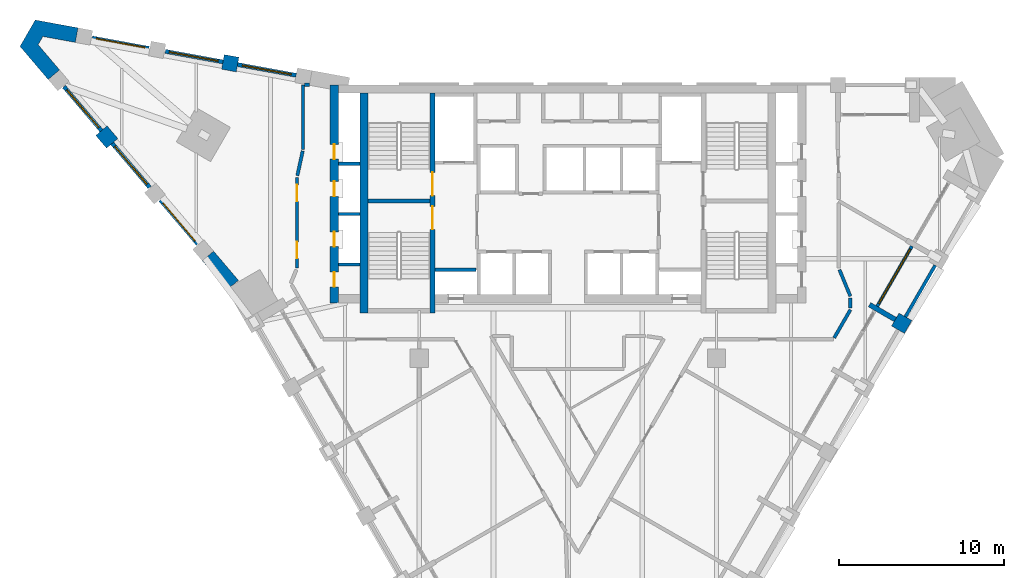
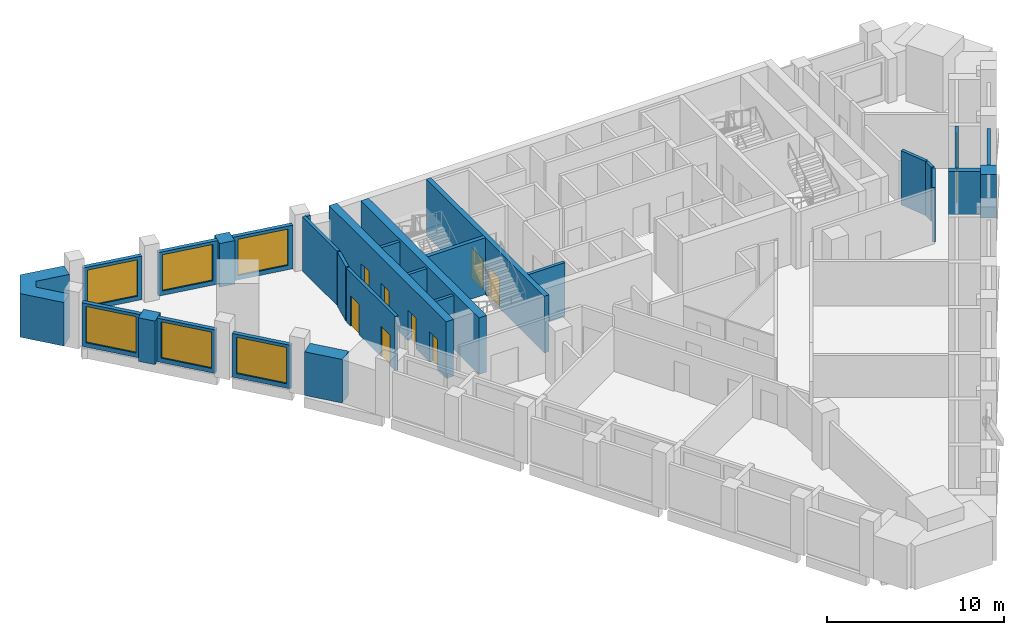
# One storey, part 5 of 9: 29 walls, 8 doors, 7 windows, 15 openings.
"""IFC4 building model written with IfcOpenShell, lengths in metres."""

from ifc_helpers import new_model, si_unit, direction, frame, frame_2d, origin, place, context, subcontext, project, spatial, polyline, rectangle, outline, extrude, material, layer, layer_set, type_object, element, fill, save


model = new_model("IFC4")

# Units and contexts
model_context = context("Model", 3, precision=1e-05, world=origin(), true_north=direction((0.0, 1.0)))
body_context = subcontext(model_context, "Body", "Model", "MODEL_VIEW")
ifc_project = project(units=[si_unit("LENGTHUNIT", "METRE"), si_unit("AREAUNIT", "SQUARE_METRE"), si_unit("VOLUMEUNIT", "CUBIC_METRE"), si_unit("PLANEANGLEUNIT", "RADIAN"), si_unit("MASSUNIT", "GRAM", prefix="KILO")], contexts=[model_context])

# Site, building, storey
site_placement = place(None, origin())
site = spatial("IfcSite", under=ifc_project, at=site_placement, CompositionType="ELEMENT")
building_placement = place(site_placement, origin())
building = spatial("IfcBuilding", under=site, at=building_placement, Name="Calabash Gate Tower", CompositionType="ELEMENT")
storey_placement = place(building_placement, frame((0.0, 0.0, 227.60009765625)))
storey = spatial("IfcBuildingStorey", under=building, at=storey_placement, Name="L54", CompositionType="ELEMENT", Elevation=227.60009765625)

# Walls
ifc_material_1 = material(Name="Terracotta brick masonry, exposed face", Category="masonry")
ifc_layer_1 = layer(ifc_material_1, 0.89990234375)
ifc_layer_set_1 = layer_set([ifc_layer_1], Name="Brick end wall 900")
wall_type_1 = type_object("IfcWallType", Name="Brick end wall 900", PredefinedType="SOLIDWALL", material=ifc_layer_set_1)
wall_1_placement = place(storey_placement, frame((20.59912109375, 4.3935546875, 0.0), z_axis=(0.0, 0.0, 1.0), x_axis=(-0.865964261186, 0.500105887137, 0.0)))
element("IfcWall", 1, at=wall_1_placement, inside=storey, type_object=wall_type_1, Name="Brick pier S15 SE2.7", PredefinedType="SOLIDWALL", context=body_context, shape_type="SweptSolid", body=[
    extrude(rectangle(XDim=0.900146484375, YDim=0.89990234375, at=frame_2d((0.4501953125, 0.0))), origin(), (0.0, 0.0, 1.0), 3.0),
])
wall_2_placement = place(storey_placement, frame((-20.52099609375, 19.91796875, 0.0), z_axis=(0.0, 0.0, 1.0), x_axis=(0.180126650564, 0.983643426124, 0.0)))
element("IfcWall", 2, at=wall_2_placement, inside=storey, type_object=wall_type_1, Name="Brick pier S15 wedge5.1", PredefinedType="SOLIDWALL", context=body_context, shape_type="SweptSolid", body=[
    extrude(rectangle(XDim=0.89990234375, YDim=0.89990234375, at=frame_2d((0.449951171875, 0.0))), origin(), (0.0, 0.0, 1.0), 3.0),
])
wall_3_placement = place(storey_placement, frame((-27.587890625, 15.511474609375, 0.0), z_axis=(0.0, 0.0, 1.0), x_axis=(-0.647641360564, 0.761945318305, 0.0)))
element("IfcWall", 3, at=wall_3_placement, inside=storey, type_object=wall_type_1, Name="Brick pier S15 wedge7.1", PredefinedType="SOLIDWALL", context=body_context, shape_type="SweptSolid", body=[
    extrude(rectangle(XDim=1.00390625, YDim=0.89990234375, at=frame_2d((0.501953125, 0.0))), origin(), (0.0, 0.0, 1.0), 3.0),
])
wall_4_placement = place(storey_placement, origin())
element("IfcWall", 4, at=wall_4_placement, inside=storey, type_object=wall_type_1, Name="Brick end wall S15 2", PredefinedType="SOLIDWALL", context=body_context, shape_type="SweptSolid", body=[
    extrude(outline(polyline([(-31.784423828125, 21.978759765625), (-29.816650390625, 21.618896484375), (-29.654541015625, 22.504150390625), (-32.24658203125, 22.978271484375), (-33.168701171875, 21.38134765625), (-31.4619140625, 19.373779296875), (-30.776123046875, 19.956787109375), (-32.072021484375, 21.48095703125), (-31.784423828125, 21.978759765625)])), origin(), (0.0, 0.0, 1.0), 3.0),
])
wall_5_placement = place(storey_placement, origin())
element("IfcWall", 5, at=wall_5_placement, inside=storey, type_object=wall_type_1, Name="Brick end wall S15 3", PredefinedType="SOLIDWALL", context=body_context, shape_type="SweptSolid", body=[
    extrude(outline(polyline([(-19.947998046875, 7.2197265625), (-21.44921875, 8.985595703125), (-22.135009765625, 8.402587890625), (-20.66015625, 6.667724609375), (-20.6806640625, 6.703125), (-20.291015625, 6.92822265625), (-19.947998046875, 7.2197265625)])), origin(), (0.0, 0.0, 1.0), 3.0),
])
ifc_material_2 = material(Name="Terracotta brick masonry, exposed face", Category="masonry")
ifc_layer_2 = layer(ifc_material_2, 0.300048828125)
ifc_layer_set_2 = layer_set([ifc_layer_2], Name="Brick loggia cheek wall 300")
wall_type_2 = type_object("IfcWallType", Name="Brick loggia cheek wall 300", PredefinedType="SOLIDWALL", material=ifc_layer_set_2)
wall_6_placement = place(storey_placement, frame((19.819580078125, 4.84375, 0.0), z_axis=(0.0, 0.0, 1.0), x_axis=(-0.866047807691, 0.499961193289, 0.0)))
element("IfcWall", 6, at=wall_6_placement, inside=storey, type_object=wall_type_2, Name="Loggia cheek S15 SE2.7", PredefinedType="SOLIDWALL", context=body_context, shape_type="SweptSolid", body=[
    extrude(rectangle(XDim=1.800048828125, YDim=0.300048828125, at=frame_2d((0.89990234375, 0.0))), origin(), (0.0, 0.0, 1.0), 3.0),
])
ifc_material_3 = material(Name="Concrete C70/85", Category="concrete")
ifc_layer_3 = layer(ifc_material_3, 0.25)
ifc_layer_set_3 = layer_set([ifc_layer_3], Name="Core wall 250 Concrete C70/85")
wall_type_3 = type_object("IfcWallType", Name="Core wall 250 Concrete C70/85", PredefinedType="SHEAR", material=ifc_layer_set_3)
wall_7_placement = place(storey_placement, frame((-12.10009765625, 12.027587890625, 0.0), z_axis=(0.0, 0.0, 1.0), x_axis=(1.0, 0.0, 0.0)))
element("IfcWall", 7, at=wall_7_placement, inside=storey, type_object=wall_type_3, Name="Core wall Z4-MIDW L54", PredefinedType="SHEAR", context=body_context, shape_type="SweptSolid", body=[
    extrude(rectangle(XDim=3.75, YDim=0.25, at=frame_2d((1.875, 0.0))), origin(), (0.0, 0.0, 1.0), 3.89990234375),
])

# Wall, openings, doors
ifc_material_4 = material(Name="Concrete C70/85", Category="concrete")
ifc_layer_4 = layer(ifc_material_4, 0.300048828125)
ifc_layer_set_4 = layer_set([ifc_layer_4], Name="Core wall 300 Concrete C70/85")
wall_type_4 = type_object("IfcWallType", Name="Core wall 300 Concrete C70/85", PredefinedType="SHEAR", material=ifc_layer_set_4)
wall_8_placement = place(storey_placement, frame((-8.199951171875, 5.252685546875, 0.0), z_axis=(0.0, 0.0, 1.0), x_axis=(0.0, 1.0, 0.0)))
wall_8 = element("IfcWall", 8, at=wall_8_placement, inside=storey, type_object=wall_type_4, Name="Core wall Z4-PARTW L54", PredefinedType="SHEAR", context=body_context, shape_type="SweptSolid", body=[
    extrude(rectangle(XDim=13.2998046875, YDim=0.300048828125, at=frame_2d((6.64990234375, 0.0))), origin(), (0.0, 0.0, 1.0), 3.89990234375),
])
opening_1_placement = place(wall_8_placement, frame((7.10009765625, 0.0, 0.0)))
opening_1 = element("IfcOpeningElement", 9, at=opening_1_placement, cuts=wall_8, Name="Opening O7-018", PredefinedType="OPENING", context=body_context, shape_type="SweptSolid", body=[
    extrude(rectangle(XDim=1.39990234375, YDim=2.10009765625, at=frame_2d((0.699951171875, 1.050048828125))), frame((0.0, 0.159912109375, 0.0), z_axis=(0.0, -1.0, 0.0), x_axis=(1.0, 0.0, 0.0)), (0.0, 0.0, 1.0), 0.320068359375),
])
opening_2_placement = place(wall_8_placement, frame((5.050048828125, 0.0, 0.0)))
opening_2 = element("IfcOpeningElement", 10, at=opening_2_placement, cuts=wall_8, Name="Opening O7-019", PredefinedType="OPENING", context=body_context, shape_type="SweptSolid", body=[
    extrude(rectangle(XDim=1.39990234375, YDim=2.10009765625, at=frame_2d((0.699951171875, 1.050048828125))), frame((0.0, 0.159912109375, 0.0), z_axis=(0.0, -1.0, 0.0), x_axis=(1.0, 0.0, 0.0)), (0.0, 0.0, 1.0), 0.320068359375),
])
ifc_material_5 = material(Name="Steel fire door set with fire-resisting glazing", Category="steel")
door_type_1 = type_object("IfcDoorType", Name="Fire door D05 1400x2100 FD90", OperationType="NOTDEFINED", PredefinedType="DOOR", material=ifc_material_5)
door_1_placement = place(opening_1_placement, origin())
door_1 = element("IfcDoor", 11, at=door_1_placement, inside=storey, type_object=door_type_1, Name="Exit stair door ST1", OperationType="SINGLE_SWING_LEFT", OverallHeight=2.10009765625, OverallWidth=1.39990234375, PredefinedType="DOOR", context=body_context, shape_type="SweptSolid", body=[
    extrude(rectangle(XDim=1.39990234375, YDim=2.10009765625, at=frame_2d((0.699951171875, 1.050048828125))), frame((0.0, 0.02490234375, 0.0), z_axis=(0.0, -1.0, 0.0), x_axis=(1.0, 0.0, 0.0)), (0.0, 0.0, 1.0), 0.050048828125),
])
fill(opening_1, door_1)
door_2_placement = place(opening_2_placement, origin())
door_2 = element("IfcDoor", 12, at=door_2_placement, inside=storey, type_object=door_type_1, Name="Exit stair door ST2", OperationType="SINGLE_SWING_LEFT", OverallHeight=2.10009765625, OverallWidth=1.39990234375, PredefinedType="DOOR", context=body_context, shape_type="SweptSolid", body=[
    extrude(rectangle(XDim=1.39990234375, YDim=2.10009765625, at=frame_2d((0.699951171875, 1.050048828125))), frame((0.0, 0.02490234375, 0.0), z_axis=(0.0, -1.0, 0.0), x_axis=(1.0, 0.0, 0.0)), (0.0, 0.0, 1.0), 0.050048828125),
])
fill(opening_2, door_2)

# Wall
ifc_material_6 = material(Name="Concrete C70/85", Category="concrete")
ifc_layer_5 = layer(ifc_material_6, 0.5)
ifc_layer_set_5 = layer_set([ifc_layer_5], Name="Core wall 500 Concrete C70/85")
wall_type_5 = type_object("IfcWallType", Name="Core wall 500 Concrete C70/85", PredefinedType="SHEAR", material=ifc_layer_set_5)
wall_9_placement = place(storey_placement, frame((-12.35009765625, 5.252685546875, 0.0), z_axis=(0.0, 0.0, 1.0), x_axis=(0.0, 1.0, 0.0)))
element("IfcWall", 13, at=wall_9_placement, inside=storey, type_object=wall_type_5, Name="Core wall Z4-COLW L54", PredefinedType="SHEAR", context=body_context, shape_type="SweptSolid", body=[
    extrude(rectangle(XDim=13.2998046875, YDim=0.5, at=frame_2d((6.64990234375, 0.0))), origin(), (0.0, 0.0, 1.0), 3.89990234375),
])

# Wall, openings, doors
wall_10_placement = place(storey_placement, frame((-14.14990234375, 5.8525390625, 0.0), z_axis=(0.0, 0.0, 1.0), x_axis=(0.0, 1.0, 0.0)))
wall_10 = element("IfcWall", 14, at=wall_10_placement, inside=storey, type_object=wall_type_5, Name="Core wall Z4-ENDW L54", PredefinedType="SHEAR", context=body_context, shape_type="SweptSolid", body=[
    extrude(rectangle(XDim=13.199951171875, YDim=0.5, at=frame_2d((6.60009765625, 0.0))), origin(), (0.0, 0.0, 1.0), 3.89990234375),
])
opening_3_placement = place(wall_10_placement, frame((0.965087890625, 0.0, 0.0)))
opening_3 = element("IfcOpeningElement", 15, at=opening_3_placement, cuts=wall_10, Name="Opening O7-005", PredefinedType="OPENING", context=body_context, shape_type="SweptSolid", body=[
    extrude(rectangle(XDim=0.89990234375, YDim=2.10009765625, at=frame_2d((0.449951171875, 1.050048828125))), frame((0.0, 0.260009765625, 0.0), z_axis=(0.0, -1.0, 0.0), x_axis=(1.0, 0.0, 0.0)), (0.0, 0.0, 1.0), 0.52001953125),
])
opening_4_placement = place(wall_10_placement, frame((3.405029296875, 0.0, 0.0)))
opening_4 = element("IfcOpeningElement", 16, at=opening_4_placement, cuts=wall_10, Name="Opening O7-006", PredefinedType="OPENING", context=body_context, shape_type="SweptSolid", body=[
    extrude(rectangle(XDim=0.89990234375, YDim=2.10009765625, at=frame_2d((0.449951171875, 1.050048828125))), frame((0.0, 0.260009765625, 0.0), z_axis=(0.0, -1.0, 0.0), x_axis=(1.0, 0.0, 0.0)), (0.0, 0.0, 1.0), 0.52001953125),
])
opening_5_placement = place(wall_10_placement, frame((6.455078125, 0.0, 0.0)))
opening_5 = element("IfcOpeningElement", 17, at=opening_5_placement, cuts=wall_10, Name="Opening O7-007", PredefinedType="OPENING", context=body_context, shape_type="SweptSolid", body=[
    extrude(rectangle(XDim=0.89990234375, YDim=2.10009765625, at=frame_2d((0.449951171875, 1.050048828125))), frame((0.0, 0.260009765625, 0.0), z_axis=(0.0, -1.0, 0.0), x_axis=(1.0, 0.0, 0.0)), (0.0, 0.0, 1.0), 0.52001953125),
])
opening_6_placement = place(wall_10_placement, frame((8.697509765625, 0.0, 0.0)))
opening_6 = element("IfcOpeningElement", 18, at=opening_6_placement, cuts=wall_10, Name="Opening O7-008", PredefinedType="OPENING", context=body_context, shape_type="SweptSolid", body=[
    extrude(rectangle(XDim=0.89990234375, YDim=2.10009765625, at=frame_2d((0.449951171875, 1.050048828125))), frame((0.0, 0.260009765625, 0.0), z_axis=(0.0, -1.0, 0.0), x_axis=(1.0, 0.0, 0.0)), (0.0, 0.0, 1.0), 0.52001953125),
])
ifc_material_7 = material(Name="Steel fire door set with fire-resisting glazing", Category="steel")
door_type_2 = type_object("IfcDoorType", Name="Fire door D06 900x2100 FD60", OperationType="NOTDEFINED", PredefinedType="DOOR", material=ifc_material_7)
door_3_placement = place(opening_3_placement, origin())
door_3 = element("IfcDoor", 19, at=door_3_placement, inside=storey, type_object=door_type_2, Name="Cleaner's Store door", OperationType="SINGLE_SWING_LEFT", OverallHeight=2.10009765625, OverallWidth=0.89990234375, PredefinedType="DOOR", context=body_context, shape_type="SweptSolid", body=[
    extrude(rectangle(XDim=0.89990234375, YDim=2.10009765625, at=frame_2d((0.449951171875, 1.050048828125))), frame((0.0, 0.02490234375, 0.0), z_axis=(0.0, -1.0, 0.0), x_axis=(1.0, 0.0, 0.0)), (0.0, 0.0, 1.0), 0.050048828125),
])
fill(opening_3, door_3)
door_4_placement = place(opening_4_placement, origin())
door_4 = element("IfcDoor", 20, at=door_4_placement, inside=storey, type_object=door_type_2, Name="Duct Riser door", OperationType="SINGLE_SWING_LEFT", OverallHeight=2.10009765625, OverallWidth=0.89990234375, PredefinedType="DOOR", context=body_context, shape_type="SweptSolid", body=[
    extrude(rectangle(XDim=0.89990234375, YDim=2.10009765625, at=frame_2d((0.449951171875, 1.050048828125))), frame((0.0, 0.02490234375, 0.0), z_axis=(0.0, -1.0, 0.0), x_axis=(1.0, 0.0, 0.0)), (0.0, 0.0, 1.0), 0.050048828125),
])
fill(opening_4, door_4)
door_5_placement = place(opening_5_placement, origin())
door_5 = element("IfcDoor", 21, at=door_5_placement, inside=storey, type_object=door_type_2, Name="Electrical Riser door", OperationType="SINGLE_SWING_LEFT", OverallHeight=2.10009765625, OverallWidth=0.89990234375, PredefinedType="DOOR", context=body_context, shape_type="SweptSolid", body=[
    extrude(rectangle(XDim=0.89990234375, YDim=2.10009765625, at=frame_2d((0.449951171875, 1.050048828125))), frame((0.0, 0.02490234375, 0.0), z_axis=(0.0, -1.0, 0.0), x_axis=(1.0, 0.0, 0.0)), (0.0, 0.0, 1.0), 0.050048828125),
])
fill(opening_5, door_5)
door_6_placement = place(opening_6_placement, origin())
door_6 = element("IfcDoor", 22, at=door_6_placement, inside=storey, type_object=door_type_2, Name="Comms Riser door", OperationType="SINGLE_SWING_LEFT", OverallHeight=2.10009765625, OverallWidth=0.89990234375, PredefinedType="DOOR", context=body_context, shape_type="SweptSolid", body=[
    extrude(rectangle(XDim=0.89990234375, YDim=2.10009765625, at=frame_2d((0.449951171875, 1.050048828125))), frame((0.0, 0.02490234375, 0.0), z_axis=(0.0, -1.0, 0.0), x_axis=(1.0, 0.0, 0.0)), (0.0, 0.0, 1.0), 0.050048828125),
])
fill(opening_6, door_6)

# Walls
ifc_material_8 = material(Name="Gypsum board on steel studs, mineral wool", Category="steel")
ifc_layer_6 = layer(ifc_material_8, 0.199951171875)
ifc_layer_set_6 = layer_set([ifc_layer_6], Name="Partition 200 gypsum board EI 60")
wall_type_6 = type_object("IfcWallType", Name="Partition 200 gypsum board EI 60", PredefinedType="PARTITIONING", material=ifc_layer_set_6)
wall_11_placement = place(storey_placement, frame((16.122314453125, 3.73876953125, 0.0), z_axis=(0.0, 0.0, 1.0), x_axis=(0.500017700655, 0.866015184065, 0.0)))
element("IfcWall", 23, at=wall_11_placement, inside=storey, type_object=wall_type_6, Name="Partition", PredefinedType="PARTITIONING", context=body_context, shape_type="SweptSolid", body=[
    extrude(rectangle(XDim=1.95654296875, YDim=0.199951171875, at=frame_2d((0.978271484375, 0.0))), origin(), (0.0, 0.0, 1.0), 3.72998046875),
])
wall_12_placement = place(storey_placement, frame((17.1005859375, 6.152587890625, 0.0), z_axis=(0.0, 0.0, 1.0), x_axis=(0.0, -1.0, 0.0)))
element("IfcWall", 24, at=wall_12_placement, inside=storey, type_object=wall_type_6, Name="Partition", PredefinedType="PARTITIONING", context=body_context, shape_type="SweptSolid", body=[
    extrude(rectangle(XDim=0.619384765625, YDim=0.199951171875, at=frame_2d((0.3095703125, 0.0))), origin(), (0.0, 0.0, 1.0), 3.72998046875),
])
wall_13_placement = place(storey_placement, frame((16.438720703125, 7.860107421875, 0.0), z_axis=(0.0, 0.0, 1.0), x_axis=(0.380742741509, -0.924681007044, 0.0)))
element("IfcWall", 25, at=wall_13_placement, inside=storey, type_object=wall_type_6, Name="Partition", PredefinedType="PARTITIONING", context=body_context, shape_type="SweptSolid", body=[
    extrude(rectangle(XDim=1.73828125, YDim=0.199951171875, at=frame_2d((0.869140625, 0.0))), origin(), (0.0, 0.0, 1.0), 3.72998046875),
])

# Wall, openings, doors
wall_14_placement = place(storey_placement, frame((-16.400390625, 7.95263671875, 0.0), z_axis=(0.0, 0.0, 1.0), x_axis=(0.0, 1.0, 0.0)))
wall_14 = element("IfcWall", 26, at=wall_14_placement, inside=storey, type_object=wall_type_6, Name="Partition", PredefinedType="PARTITIONING", context=body_context, shape_type="SweptSolid", body=[
    extrude(rectangle(XDim=5.5, YDim=0.199951171875, at=frame_2d((2.75, 0.0))), origin(), (0.0, 0.0, 1.0), 3.72998046875),
])
opening_7_placement = place(wall_14_placement, frame((0.60009765625, 0.0, 0.0)))
opening_7 = element("IfcOpeningElement", 27, at=opening_7_placement, cuts=wall_14, Name="Opening 52-54-005", PredefinedType="OPENING", context=body_context, shape_type="SweptSolid", body=[
    extrude(rectangle(XDim=1.0, YDim=2.10009765625, at=frame_2d((0.5, 1.050048828125))), frame((0.0, 0.10986328125, 0.0), z_axis=(0.0, -1.0, 0.0), x_axis=(1.0, 0.0, 0.0)), (0.0, 0.0, 1.0), 0.219970703125),
])
opening_8_placement = place(wall_14_placement, frame((4.0498046875, 0.0, 0.0)))
opening_8 = element("IfcOpeningElement", 28, at=opening_8_placement, cuts=wall_14, Name="Opening 52-54-006", PredefinedType="OPENING", context=body_context, shape_type="SweptSolid", body=[
    extrude(rectangle(XDim=1.0, YDim=2.10009765625, at=frame_2d((0.5, 1.050048828125))), frame((0.0, 0.10986328125, 0.0), z_axis=(0.0, -1.0, 0.0), x_axis=(1.0, 0.0, 0.0)), (0.0, 0.0, 1.0), 0.219970703125),
])
ifc_material_9 = material(Name="Steel fire door set with fire-resisting glazing", Category="steel")
door_type_3 = type_object("IfcDoorType", Name="LD2 Meeting room door 1000x2100", OperationType="NOTDEFINED", PredefinedType="DOOR", material=ifc_material_9)
door_7_placement = place(opening_7_placement, origin())
door_7 = element("IfcDoor", 29, at=door_7_placement, inside=storey, type_object=door_type_3, Name="Meeting room door", OperationType="SINGLE_SWING_RIGHT", OverallHeight=2.10009765625, OverallWidth=1.0, PredefinedType="DOOR", context=body_context, shape_type="SweptSolid", body=[
    extrude(rectangle(XDim=1.0, YDim=2.10009765625, at=frame_2d((0.5, 1.050048828125))), frame((0.0, 0.02490234375, 0.0), z_axis=(0.0, -1.0, 0.0), x_axis=(1.0, 0.0, 0.0)), (0.0, 0.0, 1.0), 0.050048828125),
])
fill(opening_7, door_7)
door_8_placement = place(opening_8_placement, origin())
door_8 = element("IfcDoor", 30, at=door_8_placement, inside=storey, type_object=door_type_3, Name="Meeting room door", OperationType="SINGLE_SWING_LEFT", OverallHeight=2.10009765625, OverallWidth=1.0, PredefinedType="DOOR", context=body_context, shape_type="SweptSolid", body=[
    extrude(rectangle(XDim=1.0, YDim=2.10009765625, at=frame_2d((0.5, 1.050048828125))), frame((0.0, 0.02490234375, 0.0), z_axis=(0.0, -1.0, 0.0), x_axis=(1.0, 0.0, 0.0)), (0.0, 0.0, 1.0), 0.050048828125),
])
fill(opening_8, door_8)

# Walls
wall_15_placement = place(storey_placement, frame((-16.37939453125, 13.55029296875, 0.0), z_axis=(0.0, 0.0, 1.0), x_axis=(0.212008297386, 0.977267865961, 0.0)))
element("IfcWall", 31, at=wall_15_placement, inside=storey, type_object=wall_type_6, Name="Partition", PredefinedType="PARTITIONING", context=body_context, shape_type="SweptSolid", body=[
    extrude(rectangle(XDim=1.53955078125, YDim=0.199951171875, at=frame_2d((0.769775390625, 0.0))), origin(), (0.0, 0.0, 1.0), 3.72998046875),
])
wall_16_placement = place(storey_placement, frame((-16.031982421875, 15.152587890625, 0.0), z_axis=(0.0, 0.0, 1.0), x_axis=(0.0, 1.0, 0.0)))
element("IfcWall", 32, at=wall_16_placement, inside=storey, type_object=wall_type_6, Name="Partition", PredefinedType="PARTITIONING", context=body_context, shape_type="SweptSolid", body=[
    extrude(rectangle(XDim=3.89990234375, YDim=0.199951171875, at=frame_2d((1.949951171875, 0.0))), origin(), (0.0, 0.0, 1.0), 3.72998046875),
])
wall_17_placement = place(storey_placement, frame((-15.931884765625, 19.052490234375, 0.0), z_axis=(0.0, 0.0, 1.0), x_axis=(1.0, 0.0, 0.0)))
element("IfcWall", 33, at=wall_17_placement, inside=storey, type_object=wall_type_6, Name="Partition", PredefinedType="PARTITIONING", context=body_context, shape_type="SweptSolid", body=[
    extrude(rectangle(XDim=0.28515625, YDim=0.199951171875, at=frame_2d((0.142578125, 0.0))), origin(), (0.0, 0.0, 1.0), 3.72998046875),
])

# Wall, opening, window
ifc_material_10 = material(Name="Aluminium framed window wall with insulated spandrel", Category="aluminium")
ifc_layer_7 = layer(ifc_material_10, 0.25)
ifc_layer_set_7 = layer_set([ifc_layer_7], Name="Prow window wall 250")
wall_type_7 = type_object("IfcWallType", Name="Prow window wall 250", PredefinedType="ELEMENTEDWALL", material=ifc_layer_set_7)
wall_18_placement = place(storey_placement, frame((-16.4560546875, 19.631591796875, 0.0), z_axis=(0.0, 0.0, 1.0), x_axis=(-0.983669647318, 0.17998340186, 0.0)))
wall_18 = element("IfcWall", 34, at=wall_18_placement, inside=storey, type_object=wall_type_7, Name="Prow window wall S15 wedge5.1", PredefinedType="ELEMENTEDWALL", context=body_context, shape_type="SweptSolid", body=[
    extrude(rectangle(XDim=3.60009765625, YDim=0.25, at=frame_2d((1.800048828125, 0.0))), origin(), (0.0, 0.0, 1.0), 3.0),
])
opening_9_placement = place(wall_18_placement, frame((0.300048828125, 0.0, 0.300048828125)))
opening_9 = element("IfcOpeningElement", 35, at=opening_9_placement, cuts=wall_18, Name="Opening WP2", PredefinedType="OPENING", context=body_context, shape_type="SweptSolid", body=[
    extrude(rectangle(XDim=3.0, YDim=2.5, at=frame_2d((1.5, 1.25))), frame((0.0, 0.135009765625, 0.0), z_axis=(0.0, -1.0, 0.0), x_axis=(1.0, 0.0, 0.0)), (0.0, 0.0, 1.0), 0.27001953125),
])
ifc_material_11 = material(Name="Anodised aluminium frame, bronze finish, impact-rated laminated clear glazing", Category="aluminium")
window_type_1 = type_object("IfcWindowType", Name="Window WP2 3000x2500", PartitioningType="DOUBLE_PANEL_VERTICAL", PredefinedType="WINDOW", material=ifc_material_11)
window_1_placement = place(opening_9_placement, origin())
window_1 = element("IfcWindow", 36, at=window_1_placement, inside=storey, type_object=window_type_1, Name="Prow window WP2 S15 wedge5.1", OverallHeight=2.5, OverallWidth=3.0, PartitioningType="SINGLE_PANEL", PredefinedType="WINDOW", context=body_context, shape_type="SweptSolid", body=[
    extrude(rectangle(XDim=3.0, YDim=2.5, at=frame_2d((1.5, 1.25))), frame((0.0, 0.030029296875, 0.0), z_axis=(0.0, -1.0, 0.0), x_axis=(1.0, 0.0, 0.0)), (0.0, 0.0, 1.0), 0.06005859375),
])
fill(opening_9, window_1)

wall_19_placement = place(storey_placement, frame((-20.880615234375, 20.441162109375, 0.0), z_axis=(0.0, 0.0, 1.0), x_axis=(-0.98366583261, 0.180004249274, 0.0)))
wall_19 = element("IfcWall", 37, at=wall_19_placement, inside=storey, type_object=wall_type_7, Name="Prow window wall S15 wedge5.2", PredefinedType="ELEMENTEDWALL", context=body_context, shape_type="SweptSolid", body=[
    extrude(rectangle(XDim=3.55224609375, YDim=0.25, at=frame_2d((1.776123046875, 0.0))), origin(), (0.0, 0.0, 1.0), 3.0),
])
opening_10_placement = place(wall_19_placement, frame((0.302001953125, 0.0, 0.300048828125)))
opening_10 = element("IfcOpeningElement", 38, at=opening_10_placement, cuts=wall_19, Name="Opening WP2", PredefinedType="OPENING", context=body_context, shape_type="SweptSolid", body=[
    extrude(rectangle(XDim=3.0, YDim=2.5, at=frame_2d((1.5, 1.25))), frame((0.0, 0.135009765625, 0.0), z_axis=(0.0, -1.0, 0.0), x_axis=(1.0, 0.0, 0.0)), (0.0, 0.0, 1.0), 0.27001953125),
])
window_2_placement = place(opening_10_placement, origin())
window_2 = element("IfcWindow", 39, at=window_2_placement, inside=storey, type_object=window_type_1, Name="Prow window WP2 S15 wedge5.2", OverallHeight=2.5, OverallWidth=3.0, PartitioningType="SINGLE_PANEL", PredefinedType="WINDOW", context=body_context, shape_type="SweptSolid", body=[
    extrude(rectangle(XDim=3.0, YDim=2.5, at=frame_2d((1.5, 1.25))), frame((0.0, 0.030029296875, 0.0), z_axis=(0.0, -1.0, 0.0), x_axis=(1.0, 0.0, 0.0)), (0.0, 0.0, 1.0), 0.06005859375),
])
fill(opening_10, window_2)

wall_20_placement = place(storey_placement, frame((-25.3583984375, 21.260498046875, 0.0), z_axis=(0.0, 0.0, 1.0), x_axis=(-0.983672889292, 0.179965682483, 0.0)))
wall_20 = element("IfcWall", 40, at=wall_20_placement, inside=storey, type_object=wall_type_7, Name="Prow window wall S15 wedge5.3", PredefinedType="ELEMENTEDWALL", context=body_context, shape_type="SweptSolid", body=[
    extrude(rectangle(XDim=3.5, YDim=0.25, at=frame_2d((1.75, 0.0))), origin(), (0.0, 0.0, 1.0), 3.0),
])
opening_11_placement = place(wall_20_placement, frame((0.25, 0.0, 0.300048828125)))
opening_11 = element("IfcOpeningElement", 41, at=opening_11_placement, cuts=wall_20, Name="Opening WP2", PredefinedType="OPENING", context=body_context, shape_type="SweptSolid", body=[
    extrude(rectangle(XDim=3.0, YDim=2.5, at=frame_2d((1.5, 1.25))), frame((0.0, 0.135009765625, 0.0), z_axis=(0.0, -1.0, 0.0), x_axis=(1.0, 0.0, 0.0)), (0.0, 0.0, 1.0), 0.27001953125),
])
window_3_placement = place(opening_11_placement, origin())
window_3 = element("IfcWindow", 42, at=window_3_placement, inside=storey, type_object=window_type_1, Name="Prow window WP2 S15 wedge5.3", OverallHeight=2.5, OverallWidth=3.0, PartitioningType="SINGLE_PANEL", PredefinedType="WINDOW", context=body_context, shape_type="SweptSolid", body=[
    extrude(rectangle(XDim=3.0, YDim=2.5, at=frame_2d((1.5, 1.25))), frame((0.0, 0.030029296875, 0.0), z_axis=(0.0, -1.0, 0.0), x_axis=(1.0, 0.0, 0.0)), (0.0, 0.0, 1.0), 0.06005859375),
])
fill(opening_11, window_3)

wall_21_placement = place(storey_placement, frame((-30.503662109375, 18.94140625, 0.0), z_axis=(0.0, 0.0, 1.0), x_axis=(0.647701065937, -0.761894565661, 0.0)))
wall_21 = element("IfcWall", 43, at=wall_21_placement, inside=storey, type_object=wall_type_7, Name="Prow window wall S15 wedge7.1", PredefinedType="ELEMENTEDWALL", context=body_context, shape_type="SweptSolid", body=[
    extrude(rectangle(XDim=3.499755859375, YDim=0.25, at=frame_2d((1.75, 0.0))), origin(), (0.0, 0.0, 1.0), 3.0),
])
opening_12_placement = place(wall_21_placement, frame((0.25, 0.0, 0.300048828125)))
opening_12 = element("IfcOpeningElement", 44, at=opening_12_placement, cuts=wall_21, Name="Opening WP2", PredefinedType="OPENING", context=body_context, shape_type="SweptSolid", body=[
    extrude(rectangle(XDim=3.0, YDim=2.5, at=frame_2d((1.5, 1.25))), frame((0.0, 0.135009765625, 0.0), z_axis=(0.0, -1.0, 0.0), x_axis=(1.0, 0.0, 0.0)), (0.0, 0.0, 1.0), 0.27001953125),
])
window_4_placement = place(opening_12_placement, origin())
window_4 = element("IfcWindow", 45, at=window_4_placement, inside=storey, type_object=window_type_1, Name="Prow window WP2 S15 wedge7.1", OverallHeight=2.5, OverallWidth=3.0, PartitioningType="SINGLE_PANEL", PredefinedType="WINDOW", context=body_context, shape_type="SweptSolid", body=[
    extrude(rectangle(XDim=3.0, YDim=2.5, at=frame_2d((1.5, 1.25))), frame((0.0, 0.030029296875, 0.0), z_axis=(0.0, -1.0, 0.0), x_axis=(1.0, 0.0, 0.0)), (0.0, 0.0, 1.0), 0.06005859375),
])
fill(opening_12, window_4)

wall_22_placement = place(storey_placement, frame((-27.589111328125, 15.512939453125, 0.0), z_axis=(0.0, 0.0, 1.0), x_axis=(0.647741556426, -0.761860142073, 0.0)))
wall_22 = element("IfcWall", 46, at=wall_22_placement, inside=storey, type_object=wall_type_7, Name="Prow window wall S15 wedge7.2", PredefinedType="ELEMENTEDWALL", context=body_context, shape_type="SweptSolid", body=[
    extrude(rectangle(XDim=3.5, YDim=0.25, at=frame_2d((1.75, 0.0))), origin(), (0.0, 0.0, 1.0), 3.0),
])
opening_13_placement = place(wall_22_placement, frame((0.25, 0.0, 0.300048828125)))
opening_13 = element("IfcOpeningElement", 47, at=opening_13_placement, cuts=wall_22, Name="Opening WP2", PredefinedType="OPENING", context=body_context, shape_type="SweptSolid", body=[
    extrude(rectangle(XDim=3.0, YDim=2.5, at=frame_2d((1.5, 1.25))), frame((0.0, 0.135009765625, 0.0), z_axis=(0.0, -1.0, 0.0), x_axis=(1.0, 0.0, 0.0)), (0.0, 0.0, 1.0), 0.27001953125),
])
window_5_placement = place(opening_13_placement, origin())
window_5 = element("IfcWindow", 48, at=window_5_placement, inside=storey, type_object=window_type_1, Name="Prow window WP2 S15 wedge7.2", OverallHeight=2.5, OverallWidth=3.0, PartitioningType="SINGLE_PANEL", PredefinedType="WINDOW", context=body_context, shape_type="SweptSolid", body=[
    extrude(rectangle(XDim=3.0, YDim=2.5, at=frame_2d((1.5, 1.25))), frame((0.0, 0.030029296875, 0.0), z_axis=(0.0, -1.0, 0.0), x_axis=(1.0, 0.0, 0.0)), (0.0, 0.0, 1.0), 0.06005859375),
])
fill(opening_13, window_5)

wall_23_placement = place(storey_placement, frame((-24.67431640625, 12.08447265625, 0.0), z_axis=(0.0, 0.0, 1.0), x_axis=(0.647701065937, -0.761894565661, 0.0)))
wall_23 = element("IfcWall", 49, at=wall_23_placement, inside=storey, type_object=wall_type_7, Name="Prow window wall S15 wedge7.3", PredefinedType="ELEMENTEDWALL", context=body_context, shape_type="SweptSolid", body=[
    extrude(rectangle(XDim=3.499755859375, YDim=0.25, at=frame_2d((1.75, 0.0))), origin(), (0.0, 0.0, 1.0), 3.0),
])
opening_14_placement = place(wall_23_placement, frame((0.25, 0.0, 0.300048828125)))
opening_14 = element("IfcOpeningElement", 50, at=opening_14_placement, cuts=wall_23, Name="Opening WP2", PredefinedType="OPENING", context=body_context, shape_type="SweptSolid", body=[
    extrude(rectangle(XDim=3.0, YDim=2.5, at=frame_2d((1.5, 1.25))), frame((0.0, 0.135009765625, 0.0), z_axis=(0.0, -1.0, 0.0), x_axis=(1.0, 0.0, 0.0)), (0.0, 0.0, 1.0), 0.27001953125),
])
window_6_placement = place(opening_14_placement, origin())
window_6 = element("IfcWindow", 51, at=window_6_placement, inside=storey, type_object=window_type_1, Name="Prow window WP2 S15 wedge7.3", OverallHeight=2.5, OverallWidth=3.0, PartitioningType="SINGLE_PANEL", PredefinedType="WINDOW", context=body_context, shape_type="SweptSolid", body=[
    extrude(rectangle(XDim=3.0, YDim=2.5, at=frame_2d((1.5, 1.25))), frame((0.0, 0.030029296875, 0.0), z_axis=(0.0, -1.0, 0.0), x_axis=(1.0, 0.0, 0.0)), (0.0, 0.0, 1.0), 0.06005859375),
])
fill(opening_14, window_6)

# Walls
ifc_material_12 = material(Name="Concrete C40/50", Category="concrete")
ifc_layer_8 = layer(ifc_material_12, 0.199951171875)
ifc_layer_set_8 = layer_set([ifc_layer_8], Name="Shaft wall 200 Concrete C40/50")
wall_type_8 = type_object("IfcWallType", Name="Shaft wall 200 Concrete C40/50", PredefinedType="SOLIDWALL", material=ifc_layer_set_8)
wall_24_placement = place(storey_placement, frame((-8.050048828125, 7.8525390625, 0.0), z_axis=(0.0, 0.0, 1.0), x_axis=(1.0, 0.0, 0.0)))
element("IfcWall", 52, at=wall_24_placement, inside=storey, type_object=wall_type_8, Name="Shaft wall", PredefinedType="SOLIDWALL", context=body_context, shape_type="SweptSolid", body=[
    extrude(rectangle(XDim=2.5, YDim=0.199951171875, at=frame_2d((1.25, 0.0))), origin(), (0.0, 0.0, 1.0), 3.72998046875),
])
for number, where, z_axis, x_axis, name in (
    (53, (-13.89990234375, 8.1826171875, 0.0), (0.0, 0.0, 1.0), (1.0, 0.0, 0.0), "Shaft wall"),
    (54, (-13.89990234375, 11.232666015625, 0.0), (0.0, 0.0, 1.0), (1.0, 0.0, 0.0), "Shaft wall"),
    (55, (-13.89990234375, 14.28271484375, 0.0), (0.0, 0.0, 1.0), (1.0, 0.0, 0.0), "Shaft wall"),
):
    element("IfcWall", number, at=place(storey_placement, frame(where, z_axis=z_axis, x_axis=x_axis)), inside=storey, type_object=wall_type_8, Name=name, PredefinedType="SOLIDWALL", context=body_context, shape_type="SweptSolid", body=[
        extrude(rectangle(XDim=1.2998046875, YDim=0.199951171875, at=frame_2d((0.64990234375, 0.0))), origin(), (0.0, 0.0, 1.0), 3.72998046875),
    ])
ifc_material_13 = material(Name="Terracotta brick masonry, perforated", Category="masonry")
ifc_layer_9 = layer(ifc_material_13, 0.199951171875)
ifc_layer_set_9 = layer_set([ifc_layer_9], Name="Terracotta jaali screen A")
wall_type_9 = type_object("IfcWallType", Name="Terracotta jaali screen A", PredefinedType="SOLIDWALL", material=ifc_layer_set_9)
wall_25_placement = place(storey_placement, frame((20.434326171875, 5.00830078125, 0.0), z_axis=(0.0, 0.0, 1.0), x_axis=(0.500012057535, 0.866018442252, 0.0)))
element("IfcWall", 56, at=wall_25_placement, inside=storey, type_object=wall_type_9, Name="SCREEN A S15 SE2.8", PredefinedType="SOLIDWALL", context=body_context, shape_type="SweptSolid", body=[
    extrude(rectangle(XDim=3.60009765625, YDim=0.199951171875, at=frame_2d((1.800048828125, 0.0))), origin(), (0.0, 0.0, 1.0), 3.0),
])

# Wall, opening, window
ifc_material_14 = material(Name="Aluminium framed window wall with insulated spandrel", Category="aluminium")
ifc_layer_10 = layer(ifc_material_14, 0.199951171875)
ifc_layer_set_10 = layer_set([ifc_layer_10], Name="Window wall 200")
wall_type_10 = type_object("IfcWallType", Name="Window wall 200", PredefinedType="ELEMENTEDWALL", material=ifc_layer_set_10)
wall_26_placement = place(storey_placement, frame((18.725341796875, 5.648681640625, 0.0), z_axis=(0.0, 0.0, 1.0), x_axis=(0.500027713859, 0.866009402589, 0.0)))
wall_26 = element("IfcWall", 57, at=wall_26_placement, inside=storey, type_object=wall_type_10, Name="Window wall S15 SE2.8", PredefinedType="ELEMENTEDWALL", context=body_context, shape_type="SweptSolid", body=[
    extrude(rectangle(XDim=4.199951171875, YDim=0.199951171875, at=frame_2d((2.10009765625, 0.0))), origin(), (0.0, 0.0, 1.0), 2.949951171875),
])
opening_15_placement = place(wall_26_placement, frame((0.199951171875, 0.0, 0.449951171875)))
opening_15 = element("IfcOpeningElement", 58, at=opening_15_placement, cuts=wall_26, Name="Opening OW2", PredefinedType="OPENING", context=body_context, shape_type="SweptSolid", body=[
    extrude(rectangle(XDim=3.800048828125, YDim=2.25, at=frame_2d((1.89990234375, 1.125))), frame((0.0, 0.10986328125, 0.0), z_axis=(0.0, -1.0, 0.0), x_axis=(1.0, 0.0, 0.0)), (0.0, 0.0, 1.0), 0.219970703125),
])
ifc_material_15 = material(Name="Anodised aluminium frame, bronze finish, impact-rated laminated clear glazing", Category="aluminium")
window_type_2 = type_object("IfcWindowType", Name="Window OW2 3800x2250", PartitioningType="TRIPLE_PANEL_VERTICAL", PredefinedType="WINDOW", material=ifc_material_15)
window_7_placement = place(opening_15_placement, origin())
window_7 = element("IfcWindow", 59, at=window_7_placement, inside=storey, type_object=window_type_2, Name="Window OW2 S15 SE2.8", OverallHeight=2.25, OverallWidth=3.800048828125, PartitioningType="SINGLE_PANEL", PredefinedType="WINDOW", context=body_context, shape_type="SweptSolid", body=[
    extrude(rectangle(XDim=3.800048828125, YDim=2.25, at=frame_2d((1.89990234375, 1.125))), frame((0.0, 0.030029296875, 0.0), z_axis=(0.0, -1.0, 0.0), x_axis=(1.0, 0.0, 0.0)), (0.0, 0.0, 1.0), 0.06005859375),
])
fill(opening_15, window_7)

save(model, "model.ifc")
